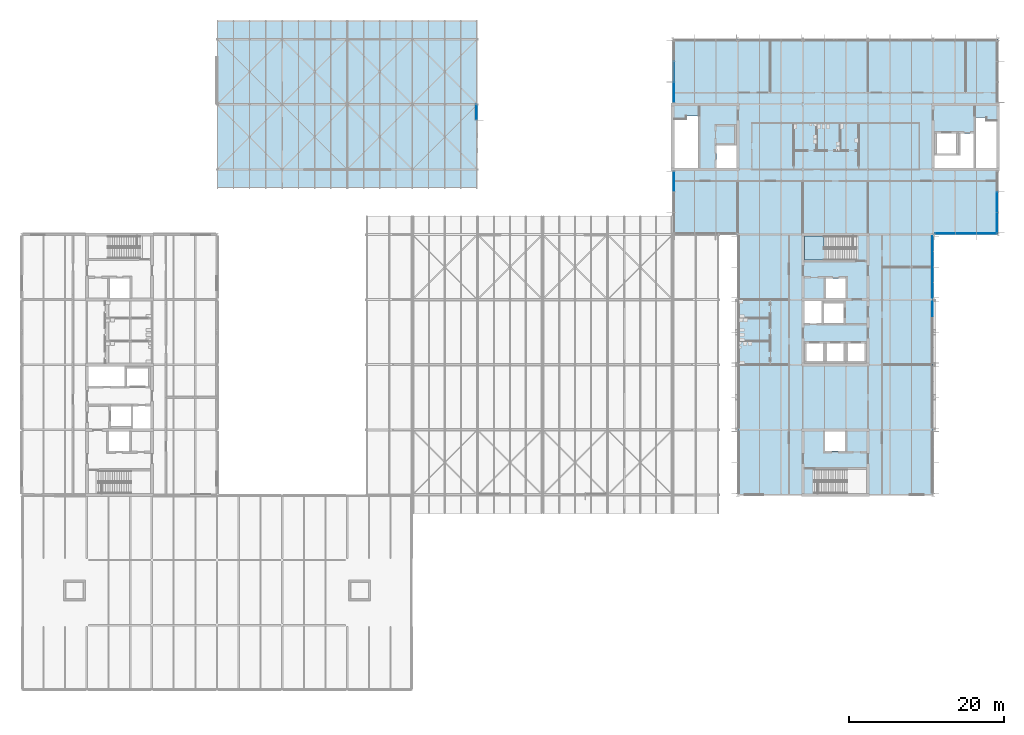
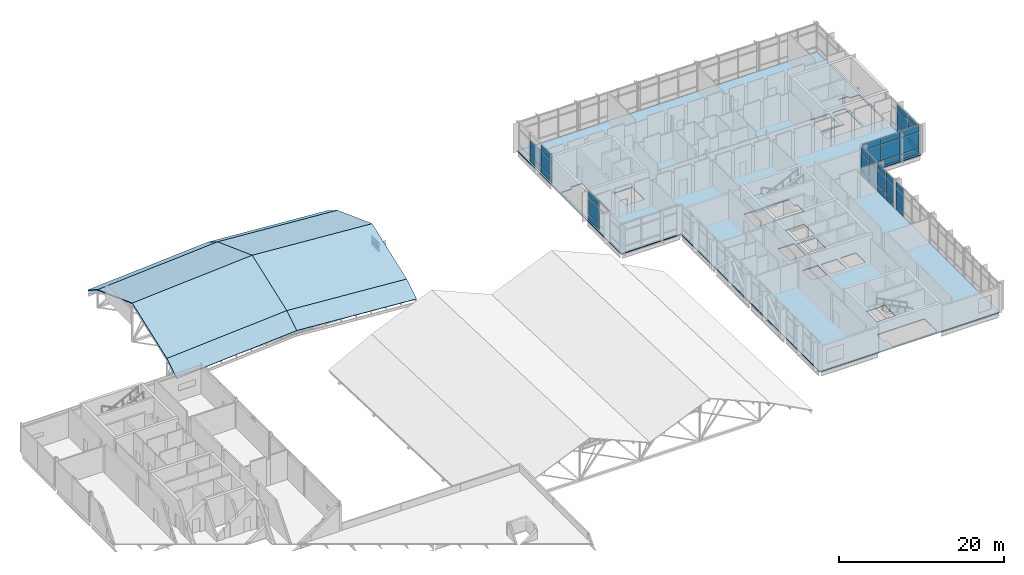
# One storey, part 29 of 76: 40 plates, 10 slabs, 8 elements without a shape of their own.
"""IFC4 building model written with IfcOpenShell, lengths in metres."""

from ifc_helpers import new_model, si_unit, direction, frame, origin, origin_2d, place, context, subcontext, project, spatial, polyline, rectangle, outline, extrude, material, layer, layer_set, type_object, element, aggregate, save


model = new_model("IFC4")

# Units and contexts
model_context = context("Model", 3, precision=1e-05, world=origin(), true_north=direction((0.0, 1.0)))
body_context = subcontext(model_context, "Body", "Model", "MODEL_VIEW")
ifc_project = project(units=[si_unit("LENGTHUNIT", "METRE"), si_unit("AREAUNIT", "SQUARE_METRE"), si_unit("VOLUMEUNIT", "CUBIC_METRE"), si_unit("PLANEANGLEUNIT", "RADIAN"), si_unit("MASSUNIT", "GRAM", prefix="KILO")], contexts=[model_context])

# Site, building, storey
site_placement = place(None, origin())
site = spatial("IfcSite", under=ifc_project, at=site_placement, CompositionType="ELEMENT")
building_placement = place(site_placement, origin())
building = spatial("IfcBuilding", under=site, at=building_placement, Name="Hlaing Beacon Police Headquarters", CompositionType="ELEMENT")
storey_placement = place(building_placement, frame((0.0, 0.0, 18.89990234375)))
storey = spatial("IfcBuildingStorey", under=building, at=storey_placement, Name="L04", CompositionType="ELEMENT", Elevation=18.89990234375)

# Curtain wall, plates
ifc_material_1 = material(Name="Aluminium frame with solar control glazing", Category="aluminium")
curtain_wall_type_1 = type_object("IfcCurtainWallType", Name="Unitised curtain wall 2.08 x 1.63 (250 frame)", PredefinedType="NOTDEFINED", material=ifc_material_1)
curtain_wall_1_placement = place(storey_placement, origin())
curtain_wall_1 = element("IfcCurtainWall", 1, at=curtain_wall_1_placement, inside=storey, type_object=curtain_wall_type_1, Name="ENV-CW-L04-E003", PredefinedType="NOTDEFINED")
ifc_material_2 = material(Name="Solar control glazing", Category="glass")
ifc_layer_1 = layer(ifc_material_2, 0.02392578125)
ifc_layer_set_1 = layer_set([ifc_layer_1], Name="Solar control glazing")
plate_type_1 = type_object("IfcPlateType", Name="Clear glazing panel 24", PredefinedType="CURTAIN_PANEL", material=ifc_layer_set_1)
plate_1_placement = place(storey_placement, frame((67.074951171875, 82.96142578125, 0.10009765625), z_axis=(0.0, 0.0, 1.0), x_axis=(0.0, 1.0, 0.0)))
plate_1 = element("IfcPlate", 2, at=plate_1_placement, type_object=plate_type_1, Name="CW-L04-E003 panel 1.1", PredefinedType="CURTAIN_PANEL", context=body_context, shape_type="SweptSolid", body=[
    extrude(rectangle(XDim=1.957275390625, YDim=0.02392578125, at=origin_2d()), origin(), (0.0, 0.0, 1.0), 0.6669921875),
])
plate_2_placement = place(storey_placement, frame((67.074951171875, 82.96142578125, 0.8671875), z_axis=(0.0, 0.0, 1.0), x_axis=(0.0, 1.0, 0.0)))
plate_2 = element("IfcPlate", 3, at=plate_2_placement, type_object=plate_type_1, Name="CW-L04-E003 panel 1.2", PredefinedType="CURTAIN_PANEL", context=body_context, shape_type="SweptSolid", body=[
    extrude(rectangle(XDim=1.957275390625, YDim=0.02392578125, at=origin_2d()), origin(), (0.0, 0.0, 1.0), 0.666259765625),
])
aggregate(curtain_wall_1, [plate_1, plate_2])

# Curtain wall, plate
ifc_material_3 = material(Name="Aluminium frame with solar control glazing", Category="aluminium")
curtain_wall_type_2 = type_object("IfcCurtainWallType", Name="Unitised curtain wall 8.02 x 4.37", PredefinedType="NOTDEFINED", material=ifc_material_3)
curtain_wall_2_placement = place(storey_placement, origin())
curtain_wall_2 = element("IfcCurtainWall", 4, at=curtain_wall_2_placement, inside=storey, type_object=curtain_wall_type_2, Name="ENV-CW-L04-E006", PredefinedType="NOTDEFINED")
ifc_material_4 = material(Name="Solar control glazing", Category="glass")
ifc_layer_2 = layer(ifc_material_4, 0.0439453125)
ifc_layer_set_2 = layer_set([ifc_layer_2], Name="Solar control glazing")
plate_type_2 = type_object("IfcPlateType", Name="Clear glazing panel 44", PredefinedType="CURTAIN_PANEL", material=ifc_layer_set_2)
plate_3_placement = place(storey_placement, frame((125.909912109375, 57.593994140625, 0.9501953125), z_axis=(0.0, 0.0, 1.0), x_axis=(0.0, 1.0, 0.0)))
plate_3 = element("IfcPlate", 5, at=plate_3_placement, type_object=plate_type_2, Name="CW-L04-E006 panel 4.2", PredefinedType="CURTAIN_PANEL", context=body_context, shape_type="SweptSolid", body=[
    extrude(rectangle(XDim=1.916015625, YDim=0.0439453125, at=origin_2d()), origin(), (0.0, 0.0, 1.0), 2.300048828125),
])

# Curtain wall, plates
ifc_material_5 = material(Name="Aluminium frame with solar control glazing", Category="aluminium")
curtain_wall_type_3 = type_object("IfcCurtainWallType", Name="Unitised curtain wall 8.03 x 4.37", PredefinedType="NOTDEFINED", material=ifc_material_5)
curtain_wall_3_placement = place(storey_placement, origin())
curtain_wall_3 = element("IfcCurtainWall", 6, at=curtain_wall_3_placement, inside=storey, type_object=curtain_wall_type_3, Name="ENV-CW-L04-E007", PredefinedType="NOTDEFINED")
plate_4_placement = place(storey_placement, frame((125.89990234375, 61.99853515625, 0.9501953125), z_axis=(0.0, 0.0, 1.0), x_axis=(0.0, 1.0, 0.0)))
plate_4 = element("IfcPlate", 7, at=plate_4_placement, type_object=plate_type_2, Name="CW-L04-E007 panel 2.2", PredefinedType="CURTAIN_PANEL", context=body_context, shape_type="SweptSolid", body=[
    extrude(rectangle(XDim=1.947021484375, YDim=0.0439453125, at=origin_2d()), origin(), (0.0, 0.0, 1.0), 2.300048828125),
])
plate_5_placement = place(storey_placement, frame((125.89990234375, 65.997314453125, 0.9501953125), z_axis=(0.0, 0.0, 1.0), x_axis=(0.0, 1.0, 0.0)))
plate_5 = element("IfcPlate", 8, at=plate_5_placement, type_object=plate_type_2, Name="CW-L04-E007 panel 4.2", PredefinedType="CURTAIN_PANEL", context=body_context, shape_type="SweptSolid", body=[
    extrude(rectangle(XDim=1.9169921875, YDim=0.0439453125, at=origin_2d()), origin(), (0.0, 0.0, 1.0), 2.300048828125),
])

# Slabs
ifc_material_6 = material(Name="Concrete C40/50", Category="concrete")
ifc_layer_3 = layer(ifc_material_6, 0.1298828125)
ifc_layer_set_3 = layer_set([ifc_layer_3], Name="Concrete C40/50")
slab_type_1 = type_object("IfcSlabType", Name="Composite deck slab 130", PredefinedType="FLOOR", material=ifc_layer_set_3)
slab_1_placement = place(storey_placement, frame((0.0, 0.0, -0.1298828125)))
element("IfcSlab", 9, at=slab_1_placement, inside=storey, type_object=slab_type_1, Name="STR-SLAB-L04-02", PredefinedType="FLOOR", context=body_context, shape_type="SweptSolid", body=[
    extrude(outline(polyline([(100.800048828125, 33.60009765625), (126.0, 33.60009765625), (126.0, 67.199951171875), (134.39990234375, 67.199951171875), (134.39990234375, 92.39990234375), (92.39990234375, 92.39990234375), (92.39990234375, 67.199951171875), (100.800048828125, 67.199951171875), (100.800048828125, 33.60009765625)]), holes=[polyline([(92.60009765625, 75.800048828125), (95.699951171875, 75.800048828125), (95.699951171875, 82.489990234375), (94.10009765625, 82.489990234375), (94.10009765625, 82.10009765625), (92.60009765625, 82.10009765625), (92.60009765625, 75.800048828125)]), polyline([(98.050048828125, 75.800048828125), (100.60009765625, 75.800048828125), (100.60009765625, 78.75), (98.050048828125, 78.75), (98.050048828125, 75.800048828125)]), polyline([(109.39990234375, 55.75), (111.64990234375, 55.75), (111.64990234375, 58.60009765625), (109.39990234375, 58.60009765625), (109.39990234375, 55.75)]), polyline([(109.39990234375, 63.89990234375), (116.090087890625, 63.89990234375), (116.090087890625, 65.5), (115.699951171875, 65.5), (115.699951171875, 67.0), (109.39990234375, 67.0), (109.39990234375, 63.89990234375)]), polyline([(109.64990234375, 50.85009765625), (111.800048828125, 50.85009765625), (111.800048828125, 53.14990234375), (109.64990234375, 53.14990234375), (109.64990234375, 50.85009765625)]), polyline([(111.10009765625, 33.800048828125), (117.39990234375, 33.800048828125), (117.39990234375, 36.89990234375), (110.7099609375, 36.89990234375), (110.7099609375, 35.300048828125), (111.10009765625, 35.300048828125), (111.10009765625, 33.800048828125)]), polyline([(111.89990234375, 55.75), (114.5, 55.75), (114.5, 58.35009765625), (111.89990234375, 58.35009765625), (111.89990234375, 55.75)]), polyline([(112.050048828125, 39.25), (114.64990234375, 39.25), (114.64990234375, 41.800048828125), (112.050048828125, 41.800048828125), (112.050048828125, 39.25)]), polyline([(112.14990234375, 59.0), (114.75, 59.0), (114.75, 61.550048828125), (112.14990234375, 61.550048828125), (112.14990234375, 59.0)]), polyline([(112.300048828125, 50.85009765625), (114.5, 50.85009765625), (114.5, 53.14990234375), (112.300048828125, 53.14990234375), (112.300048828125, 50.85009765625)]), polyline([(115.0, 50.85009765625), (117.14990234375, 50.85009765625), (117.14990234375, 53.14990234375), (115.0, 53.14990234375), (115.0, 50.85009765625)]), polyline([(126.199951171875, 75.800048828125), (131.25, 75.800048828125), (131.25, 80.25), (129.5, 80.25), (129.5, 77.39990234375), (126.199951171875, 77.39990234375), (126.199951171875, 75.800048828125)]), polyline([(126.449951171875, 77.64990234375), (129.0, 77.64990234375), (129.0, 80.25), (126.449951171875, 80.25), (126.449951171875, 77.64990234375)]), polyline([(131.5, 75.800048828125), (134.199951171875, 75.800048828125), (134.199951171875, 81.89990234375), (132.89990234375, 81.89990234375), (132.89990234375, 82.2900390625), (131.5, 82.2900390625), (131.5, 75.800048828125)])]), origin(), (0.0, 0.0, 1.0), 0.1298828125),
])
ifc_material_7 = material(Name="Steel ASTM A572 Grade 50", Category="steel")
ifc_layer_4 = layer(ifc_material_7, 0.14990234375)
ifc_layer_set_4 = layer_set([ifc_layer_4], Name="Steel ASTM A572 Grade 50")
slab_type_2 = type_object("IfcSlabType", Name="Folded roof plate 150", PredefinedType="ROOF", material=ifc_layer_set_4)
slab_2_placement = place(storey_placement, frame((33.60009765625, 73.199951171875, -1.5), z_axis=(-0.060472035661, -0.529005766099, 0.846460886478), x_axis=(0.997457816785, 0.0, 0.071259411546)))
element("IfcSlab", 10, at=slab_2_placement, inside=storey, type_object=slab_type_2, Name="STR-RP-V2-R1", PredefinedType="ROOF", context=body_context, shape_type="SweptSolid", body=[
    extrude(outline(polyline([(0.0, 0.0), (16.84262171772239, -1.1102230246251565e-16), (16.94951083504168, 2.8282994648828073), (0.10688911731928702, 2.8282994648828073), (0.0, 0.0)])), origin(), (0.0, 0.0, -1.0), 0.14990234375),
])
slab_3_placement = place(storey_placement, frame((50.39990234375, 73.199951171875, -0.2998046875), z_axis=(0.060471160087, -0.529005794211, 0.84646093146), x_axis=(0.99745789039, 0.0, -0.071258381253)))
element("IfcSlab", 11, at=slab_3_placement, inside=storey, type_object=slab_type_2, Name="STR-RP-V2-R2", PredefinedType="ROOF", context=body_context, shape_type="SweptSolid", body=[
    extrude(outline(polyline([(0.0, 0.0), (16.842865237706174, 0.0), (16.7359776658268, 2.828299523288756), (-0.10688757187937822, 2.828299523288756), (0.0, 0.0)])), origin(), (0.0, 0.0, -1.0), 0.14990234375),
])
slab_4_placement = place(storey_placement, frame((33.60009765625, 75.60009765625, 0.0), z_axis=(-0.066865734698, -0.345449157288, 0.936052270577), x_axis=(0.997458270441, 2.343606e-06, 0.071253061155)))
element("IfcSlab", 12, at=slab_4_placement, inside=storey, type_object=slab_type_2, Name="STR-RP-V2-R3", PredefinedType="ROOF", context=body_context, shape_type="SweptSolid", body=[
    extrude(outline(polyline([(0.0, 0.0), (16.842621717334794, 0.0), (17.0635154555179, 8.950902588356362), (0.22091113394999143, 8.950986712126442), (0.0, 0.0)])), origin(), (0.0, 0.0, -1.0), 0.14990234375),
])
slab_5_placement = place(storey_placement, frame((50.39990234375, 75.60009765625, 1.2001953125), z_axis=(0.06686476734, -0.345449179733, 0.936052331395), x_axis=(0.997458344032, -2.343572e-06, -0.071252030953)))
element("IfcSlab", 13, at=slab_5_placement, inside=storey, type_object=slab_type_2, Name="STR-RP-V2-R4", PredefinedType="ROOF", context=body_context, shape_type="SweptSolid", body=[
    extrude(outline(polyline([(0.0, 0.0), (16.842865237318584, 0.0), (16.62195729737834, 8.950986790954309), (-0.22089054442487344, 8.950902667172556), (0.0, 0.0)])), origin(), (0.0, 0.0, -1.0), 0.14990234375),
])
slab_6_placement = place(storey_placement, frame((33.60009765625, 84.0, 3.10009765625), z_axis=(-0.066865734698, 0.345449157288, 0.936052270577), x_axis=(0.99745839338, 2.343608e-06, 0.071251340126)))
element("IfcSlab", 14, at=slab_6_placement, inside=storey, type_object=slab_type_2, Name="STR-RP-V2-R5", PredefinedType="ROOF", context=body_context, shape_type="SweptSolid", body=[
    extrude(outline(polyline([(0.0, 0.0), (16.842604321777998, 5.551115123125783e-17), (16.62175529067839, 8.950903691542852), (-0.22086642644631901, 8.950987815399818), (0.0, 0.0)])), origin(), (0.0, 0.0, -1.0), 0.14990234375),
])
slab_7_placement = place(storey_placement, frame((50.39990234375, 84.0, 4.300048828125), z_axis=(0.06686476734, 0.345449179733, 0.936052331395), x_axis=(0.997458466968, -2.343575e-06, -0.071250309948)))
element("IfcSlab", 15, at=slab_7_placement, inside=storey, type_object=slab_type_2, Name="STR-RP-V2-R6", PredefinedType="ROOF", context=body_context, shape_type="SweptSolid", body=[
    extrude(outline(polyline([(0.0, 0.0), (16.8428478420133, -5.551115123125783e-17), (17.06371107508967, 8.950987894195938), (0.22084583798116894, 8.950903770327303), (0.0, 0.0)])), origin(), (0.0, 0.0, -1.0), 0.14990234375),
])
slab_8_placement = place(storey_placement, frame((33.60009765625, 92.39990234375, 0.0), z_axis=(-0.060472035661, 0.529005766099, 0.846460886478), x_axis=(0.997457816785, 0.0, 0.071259411546)))
element("IfcSlab", 16, at=slab_8_placement, inside=storey, type_object=slab_type_2, Name="STR-RP-V2-R7", PredefinedType="ROOF", context=body_context, shape_type="SweptSolid", body=[
    extrude(outline(polyline([(0.0, 0.0), (16.84262171772239, 1.1102230246251565e-16), (16.735732600403104, 2.8282994648828077), (-0.10688911731928702, 2.8282994648828073), (0.0, 0.0)])), origin(), (0.0, 0.0, -1.0), 0.14990234375),
])
slab_9_placement = place(storey_placement, frame((50.39990234375, 92.39990234375, 1.2001953125), z_axis=(0.060471160087, 0.529005794211, 0.84646093146), x_axis=(0.99745789039, 0.0, -0.071258381253)))
element("IfcSlab", 17, at=slab_9_placement, inside=storey, type_object=slab_type_2, Name="STR-RP-V2-R8", PredefinedType="ROOF", context=body_context, shape_type="SweptSolid", body=[
    extrude(outline(polyline([(0.0, 0.0), (16.842865237706174, 0.0), (16.949752809585554, 2.828299523288756), (0.10688757187937822, 2.828299523288756), (0.0, 0.0)])), origin(), (0.0, 0.0, -1.0), 0.14990234375),
])

# Plate
ifc_material_8 = material(Name="Fritted solar control glazing", Category="glass")
ifc_layer_5 = layer(ifc_material_8, 0.0439453125)
ifc_layer_set_5 = layer_set([ifc_layer_5], Name="Fritted solar control glazing")
plate_type_3 = type_object("IfcPlateType", Name="Fritted glazing panel 44", PredefinedType="CURTAIN_PANEL", material=ifc_layer_set_5)
plate_6_placement = place(storey_placement, frame((125.89990234375, 60.006591796875, 0.9501953125), z_axis=(0.0, 0.0, 1.0), x_axis=(0.0, 1.0, 0.0)))
plate_6 = element("IfcPlate", 18, at=plate_6_placement, type_object=plate_type_3, Name="CW-L04-E007 panel 1.2", PredefinedType="CURTAIN_PANEL", context=body_context, shape_type="SweptSolid", body=[
    extrude(rectangle(XDim=1.9169921875, YDim=0.0439453125, at=origin_2d()), origin(), (0.0, 0.0, 1.0), 2.300048828125),
])

plate_7_placement = place(storey_placement, frame((125.89990234375, 64.00537109375, 0.9501953125), z_axis=(0.0, 0.0, 1.0), x_axis=(0.0, 1.0, 0.0)))
plate_7 = element("IfcPlate", 19, at=plate_7_placement, type_object=plate_type_3, Name="CW-L04-E007 panel 3.2", PredefinedType="CURTAIN_PANEL", context=body_context, shape_type="SweptSolid", body=[
    extrude(rectangle(XDim=1.947021484375, YDim=0.0439453125, at=origin_2d()), origin(), (0.0, 0.0, 1.0), 2.300048828125),
])

ifc_material_9 = material(Name="Insulated aluminium spandrel", Category="aluminium")
ifc_layer_6 = layer(ifc_material_9, 0.06005859375)
ifc_layer_set_6 = layer_set([ifc_layer_6], Name="Insulated aluminium spandrel")
plate_type_4 = type_object("IfcPlateType", Name="Insulated spandrel panel 60", PredefinedType="CURTAIN_PANEL", material=ifc_layer_set_6)
plate_8_placement = place(storey_placement, frame((125.909912109375, 57.593994140625, 0.10009765625), z_axis=(0.0, 0.0, 1.0), x_axis=(0.0, 1.0, 0.0)))
plate_8 = element("IfcPlate", 20, at=plate_8_placement, type_object=plate_type_4, Name="CW-L04-E006 panel 4.1", PredefinedType="CURTAIN_PANEL", context=body_context, shape_type="SweptSolid", body=[
    extrude(rectangle(XDim=1.916015625, YDim=0.06005859375, at=origin_2d()), origin(), (0.0, 0.0, 1.0), 0.75),
])

plate_9_placement = place(storey_placement, frame((125.89990234375, 60.006591796875, 0.10009765625), z_axis=(0.0, 0.0, 1.0), x_axis=(0.0, 1.0, 0.0)))
plate_9 = element("IfcPlate", 21, at=plate_9_placement, type_object=plate_type_4, Name="CW-L04-E007 panel 1.1", PredefinedType="CURTAIN_PANEL", context=body_context, shape_type="SweptSolid", body=[
    extrude(rectangle(XDim=1.9169921875, YDim=0.06005859375, at=origin_2d()), origin(), (0.0, 0.0, 1.0), 0.75),
])

plate_10_placement = place(storey_placement, frame((125.89990234375, 61.99853515625, 0.10009765625), z_axis=(0.0, 0.0, 1.0), x_axis=(0.0, 1.0, 0.0)))
plate_10 = element("IfcPlate", 22, at=plate_10_placement, type_object=plate_type_4, Name="CW-L04-E007 panel 2.1", PredefinedType="CURTAIN_PANEL", context=body_context, shape_type="SweptSolid", body=[
    extrude(rectangle(XDim=1.947021484375, YDim=0.06005859375, at=origin_2d()), origin(), (0.0, 0.0, 1.0), 0.75),
])

plate_11_placement = place(storey_placement, frame((125.89990234375, 64.00537109375, 0.10009765625), z_axis=(0.0, 0.0, 1.0), x_axis=(0.0, 1.0, 0.0)))
plate_11 = element("IfcPlate", 23, at=plate_11_placement, type_object=plate_type_4, Name="CW-L04-E007 panel 3.1", PredefinedType="CURTAIN_PANEL", context=body_context, shape_type="SweptSolid", body=[
    extrude(rectangle(XDim=1.947021484375, YDim=0.06005859375, at=origin_2d()), origin(), (0.0, 0.0, 1.0), 0.75),
])

plate_12_placement = place(storey_placement, frame((125.89990234375, 65.997314453125, 0.10009765625), z_axis=(0.0, 0.0, 1.0), x_axis=(0.0, 1.0, 0.0)))
plate_12 = element("IfcPlate", 24, at=plate_12_placement, type_object=plate_type_4, Name="CW-L04-E007 panel 4.1", PredefinedType="CURTAIN_PANEL", context=body_context, shape_type="SweptSolid", body=[
    extrude(rectangle(XDim=1.9169921875, YDim=0.06005859375, at=origin_2d()), origin(), (0.0, 0.0, 1.0), 0.75),
])

# Curtain wall, plates
ifc_material_10 = material(Name="Aluminium frame with solar control glazing", Category="aluminium")
curtain_wall_type_4 = type_object("IfcCurtainWallType", Name="Structural glazed gable wall 8.02 x 4.37", PredefinedType="NOTDEFINED", material=ifc_material_10)
curtain_wall_4_placement = place(storey_placement, origin())
curtain_wall_4 = element("IfcCurtainWall", 25, at=curtain_wall_4_placement, inside=storey, type_object=curtain_wall_type_4, Name="ENV-CW-L04-E009", PredefinedType="NOTDEFINED")
plate_13_placement = place(storey_placement, frame((134.25, 68.733642578125, 0.10009765625), z_axis=(0.0, 0.0, 1.0), x_axis=(0.0, 1.0, 0.0)))
plate_13 = element("IfcPlate", 26, at=plate_13_placement, type_object=plate_type_4, Name="CW-L04-E009 panel 1.1", PredefinedType="CURTAIN_PANEL", context=body_context, shape_type="SweptSolid", body=[
    extrude(rectangle(XDim=2.554443359375, YDim=0.06005859375, at=origin_2d()), origin(), (0.0, 0.0, 1.0), 0.75),
])
plate_14_placement = place(storey_placement, frame((134.25, 71.38818359375, 0.10009765625), z_axis=(0.0, 0.0, 1.0), x_axis=(0.0, 1.0, 0.0)))
plate_14 = element("IfcPlate", 27, at=plate_14_placement, type_object=plate_type_4, Name="CW-L04-E009 panel 2.1", PredefinedType="CURTAIN_PANEL", context=body_context, shape_type="SweptSolid", body=[
    extrude(rectangle(XDim=2.594482421875, YDim=0.06005859375, at=origin_2d()), origin(), (0.0, 0.0, 1.0), 0.75),
])

ifc_material_11 = material(Name="Aluminium frame with solar control glazing", Category="aluminium")
curtain_wall_type_5 = type_object("IfcCurtainWallType", Name="Structural glazed gable wall 8.09 x 4.37", PredefinedType="NOTDEFINED", material=ifc_material_11)
curtain_wall_5_placement = place(storey_placement, origin())
curtain_wall_5 = element("IfcCurtainWall", 28, at=curtain_wall_5_placement, inside=storey, type_object=curtain_wall_type_5, Name="ENV-CW-L04-S008", PredefinedType="NOTDEFINED")
ifc_material_12 = material(Name="Insulated aluminium spandrel", Category="aluminium")
ifc_layer_7 = layer(ifc_material_12, 0.080078125)
ifc_layer_set_7 = layer_set([ifc_layer_7], Name="Insulated aluminium spandrel")
plate_type_5 = type_object("IfcPlateType", Name="Insulated spandrel panel 80", PredefinedType="CURTAIN_PANEL", material=ifc_layer_set_7)
plate_15_placement = place(storey_placement, frame((127.554443359375, 67.35009765625, 0.10009765625), z_axis=(0.0, 0.0, 1.0), x_axis=(1.0, 0.0, 0.0)))
plate_15 = element("IfcPlate", 29, at=plate_15_placement, type_object=plate_type_5, Name="CW-L04-S008 panel 1.1", PredefinedType="CURTAIN_PANEL", context=body_context, shape_type="SweptSolid", body=[
    extrude(rectangle(XDim=2.575439453125, YDim=0.080078125, at=origin_2d()), origin(), (0.0, 0.0, 1.0), 0.75),
])
plate_16_placement = place(storey_placement, frame((130.229736328125, 67.35009765625, 0.10009765625), z_axis=(0.0, 0.0, 1.0), x_axis=(1.0, 0.0, 0.0)))
plate_16 = element("IfcPlate", 30, at=plate_16_placement, type_object=plate_type_5, Name="CW-L04-S008 panel 2.1", PredefinedType="CURTAIN_PANEL", context=body_context, shape_type="SweptSolid", body=[
    extrude(rectangle(XDim=2.615478515625, YDim=0.080078125, at=origin_2d()), origin(), (0.0, 0.0, 1.0), 0.75),
])
plate_17_placement = place(storey_placement, frame((132.9052734375, 67.35009765625, 0.10009765625), z_axis=(0.0, 0.0, 1.0), x_axis=(1.0, 0.0, 0.0)))
plate_17 = element("IfcPlate", 31, at=plate_17_placement, type_object=plate_type_5, Name="CW-L04-S008 panel 3.1", PredefinedType="CURTAIN_PANEL", context=body_context, shape_type="SweptSolid", body=[
    extrude(rectangle(XDim=2.575439453125, YDim=0.080078125, at=origin_2d()), origin(), (0.0, 0.0, 1.0), 0.75),
])

curtain_wall_6_placement = place(storey_placement, origin())
curtain_wall_6 = element("IfcCurtainWall", 32, at=curtain_wall_6_placement, inside=storey, type_object=curtain_wall_type_4, Name="ENV-CW-L04-W016", PredefinedType="NOTDEFINED")
plate_18_placement = place(storey_placement, frame((92.550048828125, 88.211669921875, 0.10009765625), z_axis=(0.0, 0.0, 1.0), x_axis=(0.0, -1.0, 0.0)))
plate_18 = element("IfcPlate", 33, at=plate_18_placement, type_object=plate_type_5, Name="CW-L04-W016 panel 2.1", PredefinedType="CURTAIN_PANEL", context=body_context, shape_type="SweptSolid", body=[
    extrude(rectangle(XDim=2.594482421875, YDim=0.080078125, at=origin_2d()), origin(), (0.0, 0.0, 1.0), 0.75),
])
plate_19_placement = place(storey_placement, frame((92.550048828125, 85.55712890625, 0.10009765625), z_axis=(0.0, 0.0, 1.0), x_axis=(0.0, -1.0, 0.0)))
plate_19 = element("IfcPlate", 34, at=plate_19_placement, type_object=plate_type_5, Name="CW-L04-W016 panel 3.1", PredefinedType="CURTAIN_PANEL", context=body_context, shape_type="SweptSolid", body=[
    extrude(rectangle(XDim=2.554443359375, YDim=0.080078125, at=origin_2d()), origin(), (0.0, 0.0, 1.0), 0.75),
])

# Curtain wall, plate
curtain_wall_7_placement = place(storey_placement, origin())
curtain_wall_7 = element("IfcCurtainWall", 35, at=curtain_wall_7_placement, inside=storey, type_object=curtain_wall_type_4, Name="ENV-CW-L04-W017", PredefinedType="NOTDEFINED")
plate_20_placement = place(storey_placement, frame((92.550048828125, 74.042724609375, 0.10009765625), z_axis=(0.0, 0.0, 1.0), x_axis=(0.0, -1.0, 0.0)))
plate_20 = element("IfcPlate", 36, at=plate_20_placement, type_object=plate_type_5, Name="CW-L04-W017 panel 1.1", PredefinedType="CURTAIN_PANEL", context=body_context, shape_type="SweptSolid", body=[
    extrude(rectangle(XDim=2.554443359375, YDim=0.080078125, at=origin_2d()), origin(), (0.0, 0.0, 1.0), 0.75),
])

# Plate
ifc_material_13 = material(Name="Laminated solar control glazing", Category="glass")
ifc_layer_8 = layer(ifc_material_13, 0.031982421875)
ifc_layer_set_8 = layer_set([ifc_layer_8], Name="Laminated solar control glazing")
plate_type_6 = type_object("IfcPlateType", Name="Laminated glazing panel 32", PredefinedType="CURTAIN_PANEL", material=ifc_layer_set_8)
plate_21_placement = place(storey_placement, frame((127.554443359375, 67.35009765625, 3.35009765625), z_axis=(0.0, 0.0, 1.0), x_axis=(1.0, 0.0, 0.0)))
plate_21 = element("IfcPlate", 37, at=plate_21_placement, type_object=plate_type_6, Name="CW-L04-S008 panel 1.3", PredefinedType="CURTAIN_PANEL", context=body_context, shape_type="SweptSolid", body=[
    extrude(rectangle(XDim=2.575439453125, YDim=0.031982421875, at=origin_2d()), origin(), (0.0, 0.0, 1.0), 0.919921875),
])

plate_22_placement = place(storey_placement, frame((130.229736328125, 67.35009765625, 3.35009765625), z_axis=(0.0, 0.0, 1.0), x_axis=(1.0, 0.0, 0.0)))
plate_22 = element("IfcPlate", 38, at=plate_22_placement, type_object=plate_type_6, Name="CW-L04-S008 panel 2.3", PredefinedType="CURTAIN_PANEL", context=body_context, shape_type="SweptSolid", body=[
    extrude(rectangle(XDim=2.615478515625, YDim=0.031982421875, at=origin_2d()), origin(), (0.0, 0.0, 1.0), 0.919921875),
])

plate_23_placement = place(storey_placement, frame((132.9052734375, 67.35009765625, 3.35009765625), z_axis=(0.0, 0.0, 1.0), x_axis=(1.0, 0.0, 0.0)))
plate_23 = element("IfcPlate", 39, at=plate_23_placement, type_object=plate_type_6, Name="CW-L04-S008 panel 3.3", PredefinedType="CURTAIN_PANEL", context=body_context, shape_type="SweptSolid", body=[
    extrude(rectangle(XDim=2.575439453125, YDim=0.031982421875, at=origin_2d()), origin(), (0.0, 0.0, 1.0), 0.919921875),
])

plate_24_placement = place(storey_placement, frame((134.25, 68.733642578125, 3.35009765625), z_axis=(0.0, 0.0, 1.0), x_axis=(0.0, 1.0, 0.0)))
plate_24 = element("IfcPlate", 40, at=plate_24_placement, type_object=plate_type_6, Name="CW-L04-E009 panel 1.3", PredefinedType="CURTAIN_PANEL", context=body_context, shape_type="SweptSolid", body=[
    extrude(rectangle(XDim=2.554443359375, YDim=0.031982421875, at=origin_2d()), origin(), (0.0, 0.0, 1.0), 0.919921875),
])

plate_25_placement = place(storey_placement, frame((134.25, 71.38818359375, 3.35009765625), z_axis=(0.0, 0.0, 1.0), x_axis=(0.0, 1.0, 0.0)))
plate_25 = element("IfcPlate", 41, at=plate_25_placement, type_object=plate_type_6, Name="CW-L04-E009 panel 2.3", PredefinedType="CURTAIN_PANEL", context=body_context, shape_type="SweptSolid", body=[
    extrude(rectangle(XDim=2.594482421875, YDim=0.031982421875, at=origin_2d()), origin(), (0.0, 0.0, 1.0), 0.919921875),
])

plate_26_placement = place(storey_placement, frame((92.550048828125, 85.55712890625, 3.35009765625), z_axis=(0.0, 0.0, 1.0), x_axis=(0.0, -1.0, 0.0)))
plate_26 = element("IfcPlate", 42, at=plate_26_placement, type_object=plate_type_6, Name="CW-L04-W016 panel 3.3", PredefinedType="CURTAIN_PANEL", context=body_context, shape_type="SweptSolid", body=[
    extrude(rectangle(XDim=2.554443359375, YDim=0.031982421875, at=origin_2d()), origin(), (0.0, 0.0, 1.0), 0.919921875),
])

plate_27_placement = place(storey_placement, frame((92.550048828125, 74.042724609375, 3.35009765625), z_axis=(0.0, 0.0, 1.0), x_axis=(0.0, -1.0, 0.0)))
plate_27 = element("IfcPlate", 43, at=plate_27_placement, type_object=plate_type_6, Name="CW-L04-W017 panel 1.3", PredefinedType="CURTAIN_PANEL", context=body_context, shape_type="SweptSolid", body=[
    extrude(rectangle(XDim=2.554443359375, YDim=0.031982421875, at=origin_2d()), origin(), (0.0, 0.0, 1.0), 0.919921875),
])

ifc_material_14 = material(Name="Laminated solar control glazing", Category="glass")
ifc_layer_9 = layer(ifc_material_14, 0.0439453125)
ifc_layer_set_9 = layer_set([ifc_layer_9], Name="Laminated solar control glazing")
plate_type_7 = type_object("IfcPlateType", Name="Laminated glazing panel 44", PredefinedType="CURTAIN_PANEL", material=ifc_layer_set_9)
plate_28_placement = place(storey_placement, frame((134.25, 68.733642578125, 0.9501953125), z_axis=(0.0, 0.0, 1.0), x_axis=(0.0, 1.0, 0.0)))
plate_28 = element("IfcPlate", 44, at=plate_28_placement, type_object=plate_type_7, Name="CW-L04-E009 panel 1.2", PredefinedType="CURTAIN_PANEL", context=body_context, shape_type="SweptSolid", body=[
    extrude(rectangle(XDim=2.554443359375, YDim=0.0439453125, at=origin_2d()), origin(), (0.0, 0.0, 1.0), 2.300048828125),
])

plate_29_placement = place(storey_placement, frame((134.25, 71.38818359375, 0.9501953125), z_axis=(0.0, 0.0, 1.0), x_axis=(0.0, 1.0, 0.0)))
plate_29 = element("IfcPlate", 45, at=plate_29_placement, type_object=plate_type_7, Name="CW-L04-E009 panel 2.2", PredefinedType="CURTAIN_PANEL", context=body_context, shape_type="SweptSolid", body=[
    extrude(rectangle(XDim=2.594482421875, YDim=0.0439453125, at=origin_2d()), origin(), (0.0, 0.0, 1.0), 2.300048828125),
])

aggregate(curtain_wall_4, [plate_13, plate_28, plate_24, plate_14, plate_29, plate_25])

plate_30_placement = place(storey_placement, frame((92.550048828125, 88.211669921875, 0.9501953125), z_axis=(0.0, 0.0, 1.0), x_axis=(0.0, -1.0, 0.0)))
plate_30 = element("IfcPlate", 46, at=plate_30_placement, type_object=plate_type_7, Name="CW-L04-W016 panel 2.2", PredefinedType="CURTAIN_PANEL", context=body_context, shape_type="SweptSolid", body=[
    extrude(rectangle(XDim=2.594482421875, YDim=0.0439453125, at=origin_2d()), origin(), (0.0, 0.0, 1.0), 2.300048828125),
])

plate_31_placement = place(storey_placement, frame((92.550048828125, 85.55712890625, 0.9501953125), z_axis=(0.0, 0.0, 1.0), x_axis=(0.0, -1.0, 0.0)))
plate_31 = element("IfcPlate", 47, at=plate_31_placement, type_object=plate_type_7, Name="CW-L04-W016 panel 3.2", PredefinedType="CURTAIN_PANEL", context=body_context, shape_type="SweptSolid", body=[
    extrude(rectangle(XDim=2.554443359375, YDim=0.0439453125, at=origin_2d()), origin(), (0.0, 0.0, 1.0), 2.300048828125),
])

aggregate(curtain_wall_6, [plate_18, plate_30, plate_19, plate_31, plate_26])

plate_32_placement = place(storey_placement, frame((92.550048828125, 74.042724609375, 0.9501953125), z_axis=(0.0, 0.0, 1.0), x_axis=(0.0, -1.0, 0.0)))
plate_32 = element("IfcPlate", 48, at=plate_32_placement, type_object=plate_type_7, Name="CW-L04-W017 panel 1.2", PredefinedType="CURTAIN_PANEL", context=body_context, shape_type="SweptSolid", body=[
    extrude(rectangle(XDim=2.554443359375, YDim=0.0439453125, at=origin_2d()), origin(), (0.0, 0.0, 1.0), 2.300048828125),
])

aggregate(curtain_wall_7, [plate_20, plate_32, plate_27])

ifc_material_15 = material(Name="Laminated solar control glazing", Category="glass")
ifc_layer_10 = layer(ifc_material_15, 0.06591796875)
ifc_layer_set_10 = layer_set([ifc_layer_10], Name="Laminated solar control glazing")
plate_type_8 = type_object("IfcPlateType", Name="Laminated glazing panel 66", PredefinedType="CURTAIN_PANEL", material=ifc_layer_set_10)
plate_33_placement = place(storey_placement, frame((127.554443359375, 67.35009765625, 0.9501953125), z_axis=(0.0, 0.0, 1.0), x_axis=(1.0, 0.0, 0.0)))
plate_33 = element("IfcPlate", 49, at=plate_33_placement, type_object=plate_type_8, Name="CW-L04-S008 panel 1.2", PredefinedType="CURTAIN_PANEL", context=body_context, shape_type="SweptSolid", body=[
    extrude(rectangle(XDim=2.575439453125, YDim=0.06591796875, at=origin_2d()), origin(), (0.0, 0.0, 1.0), 2.300048828125),
])

plate_34_placement = place(storey_placement, frame((130.229736328125, 67.35009765625, 0.9501953125), z_axis=(0.0, 0.0, 1.0), x_axis=(1.0, 0.0, 0.0)))
plate_34 = element("IfcPlate", 50, at=plate_34_placement, type_object=plate_type_8, Name="CW-L04-S008 panel 2.2", PredefinedType="CURTAIN_PANEL", context=body_context, shape_type="SweptSolid", body=[
    extrude(rectangle(XDim=2.615478515625, YDim=0.06591796875, at=origin_2d()), origin(), (0.0, 0.0, 1.0), 2.300048828125),
])

plate_35_placement = place(storey_placement, frame((132.9052734375, 67.35009765625, 0.9501953125), z_axis=(0.0, 0.0, 1.0), x_axis=(1.0, 0.0, 0.0)))
plate_35 = element("IfcPlate", 51, at=plate_35_placement, type_object=plate_type_8, Name="CW-L04-S008 panel 3.2", PredefinedType="CURTAIN_PANEL", context=body_context, shape_type="SweptSolid", body=[
    extrude(rectangle(XDim=2.575439453125, YDim=0.06591796875, at=origin_2d()), origin(), (0.0, 0.0, 1.0), 2.300048828125),
])

aggregate(curtain_wall_5, [plate_15, plate_33, plate_21, plate_16, plate_34, plate_22, plate_17, plate_35, plate_23])

ifc_material_16 = material(Name="Perforated aluminium", Category="aluminium")
ifc_layer_11 = layer(ifc_material_16, 0.00390625)
ifc_layer_set_11 = layer_set([ifc_layer_11], Name="Perforated aluminium")
plate_type_9 = type_object("IfcPlateType", Name="Perforated aluminium vent panel 4", PredefinedType="CURTAIN_PANEL", material=ifc_layer_set_11)
plate_36_placement = place(storey_placement, frame((125.909912109375, 57.593994140625, 3.35009765625), z_axis=(0.0, 0.0, 1.0), x_axis=(0.0, 1.0, 0.0)))
plate_36 = element("IfcPlate", 52, at=plate_36_placement, type_object=plate_type_9, Name="CW-L04-E006 panel 4.3", PredefinedType="CURTAIN_PANEL", context=body_context, shape_type="SweptSolid", body=[
    extrude(rectangle(XDim=1.916015625, YDim=0.00390625, at=origin_2d()), origin(), (0.0, 0.0, 1.0), 0.919921875),
])

aggregate(curtain_wall_2, [plate_8, plate_3, plate_36])

plate_37_placement = place(storey_placement, frame((125.89990234375, 60.006591796875, 3.35009765625), z_axis=(0.0, 0.0, 1.0), x_axis=(0.0, 1.0, 0.0)))
plate_37 = element("IfcPlate", 53, at=plate_37_placement, type_object=plate_type_9, Name="CW-L04-E007 panel 1.3", PredefinedType="CURTAIN_PANEL", context=body_context, shape_type="SweptSolid", body=[
    extrude(rectangle(XDim=1.9169921875, YDim=0.00390625, at=origin_2d()), origin(), (0.0, 0.0, 1.0), 0.919921875),
])

plate_38_placement = place(storey_placement, frame((125.89990234375, 61.99853515625, 3.35009765625), z_axis=(0.0, 0.0, 1.0), x_axis=(0.0, 1.0, 0.0)))
plate_38 = element("IfcPlate", 54, at=plate_38_placement, type_object=plate_type_9, Name="CW-L04-E007 panel 2.3", PredefinedType="CURTAIN_PANEL", context=body_context, shape_type="SweptSolid", body=[
    extrude(rectangle(XDim=1.947021484375, YDim=0.00390625, at=origin_2d()), origin(), (0.0, 0.0, 1.0), 0.919921875),
])

plate_39_placement = place(storey_placement, frame((125.89990234375, 64.00537109375, 3.35009765625), z_axis=(0.0, 0.0, 1.0), x_axis=(0.0, 1.0, 0.0)))
plate_39 = element("IfcPlate", 55, at=plate_39_placement, type_object=plate_type_9, Name="CW-L04-E007 panel 3.3", PredefinedType="CURTAIN_PANEL", context=body_context, shape_type="SweptSolid", body=[
    extrude(rectangle(XDim=1.947021484375, YDim=0.00390625, at=origin_2d()), origin(), (0.0, 0.0, 1.0), 0.919921875),
])

plate_40_placement = place(storey_placement, frame((125.89990234375, 65.997314453125, 3.35009765625), z_axis=(0.0, 0.0, 1.0), x_axis=(0.0, 1.0, 0.0)))
plate_40 = element("IfcPlate", 56, at=plate_40_placement, type_object=plate_type_9, Name="CW-L04-E007 panel 4.3", PredefinedType="CURTAIN_PANEL", context=body_context, shape_type="SweptSolid", body=[
    extrude(rectangle(XDim=1.9169921875, YDim=0.00390625, at=origin_2d()), origin(), (0.0, 0.0, 1.0), 0.919921875),
])

aggregate(curtain_wall_3, [plate_9, plate_6, plate_37, plate_10, plate_4, plate_38, plate_11, plate_7, plate_39, plate_12, plate_5, plate_40])

# Stair, slab
ifc_material_17 = material(Name="Concrete C40/50", Category="concrete")
stair_type = type_object("IfcStairType", Name="Half-turn stair 1500 wide, 4500 rise", PredefinedType="HALF_TURN_STAIR", material=ifc_material_17)
stair_placement = place(storey_placement, origin())
stair = element("IfcStair", 57, at=stair_placement, inside=storey, type_object=stair_type, Name="Stair ST-M", PredefinedType="HALF_TURN_STAIR")
ifc_material_18 = material(Name="Concrete C40/50", Category="concrete")
ifc_layer_12 = layer(ifc_material_18, 0.219970703125)
ifc_layer_set_12 = layer_set([ifc_layer_12], Name="Concrete C40/50")
slab_type_3 = type_object("IfcSlabType", Name="Stair landing 220", PredefinedType="LANDING", material=ifc_layer_set_12)
slab_10_placement = place(storey_placement, frame((0.0, 0.0, 2.030029296875)))
slab_10 = element("IfcSlab", 58, at=slab_10_placement, type_object=slab_type_3, Name="ST-M landing 1", PredefinedType="LANDING", context=body_context, shape_type="SweptSolid", body=[
    extrude(outline(polyline([(111.909912109375, 67.0), (109.39990234375, 67.0), (109.39990234375, 63.89990234375), (112.300048828125, 63.89990234375), (112.300048828125, 65.39990234375), (111.909912109375, 65.39990234375), (111.909912109375, 67.0)])), origin(), (0.0, 0.0, 1.0), 0.219970703125),
])
aggregate(stair, [slab_10])

save(model, "model.ifc")
